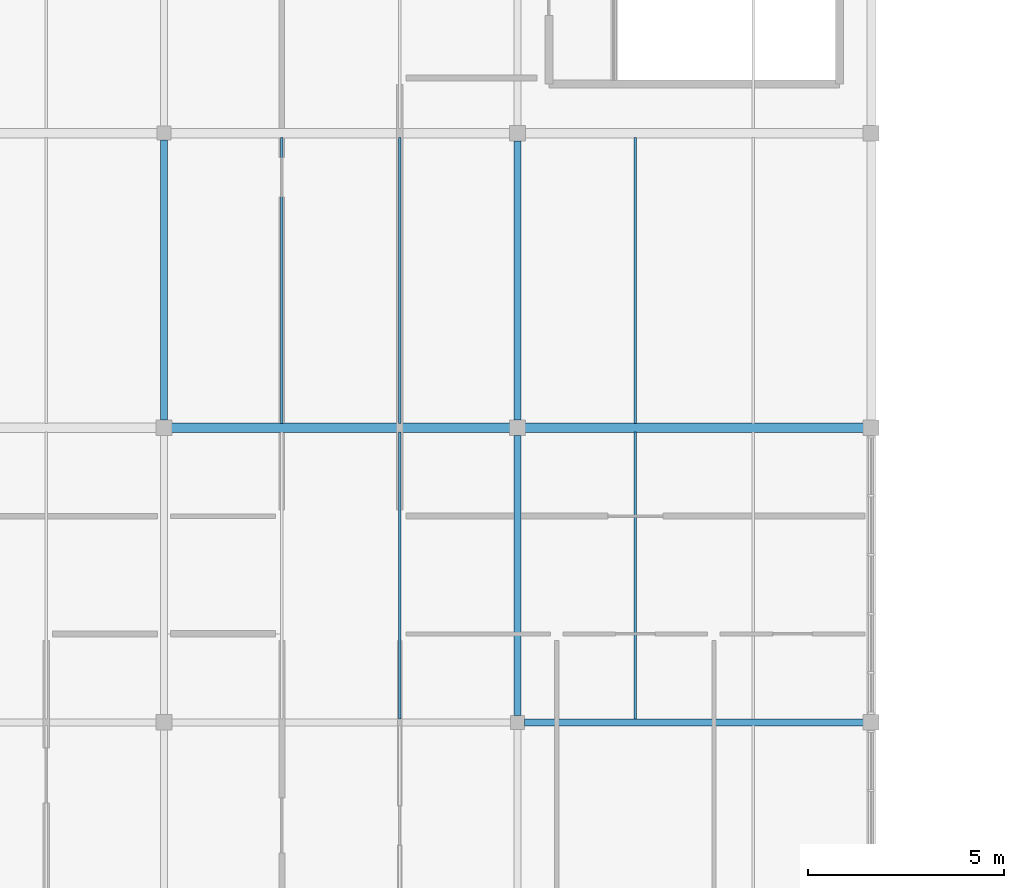
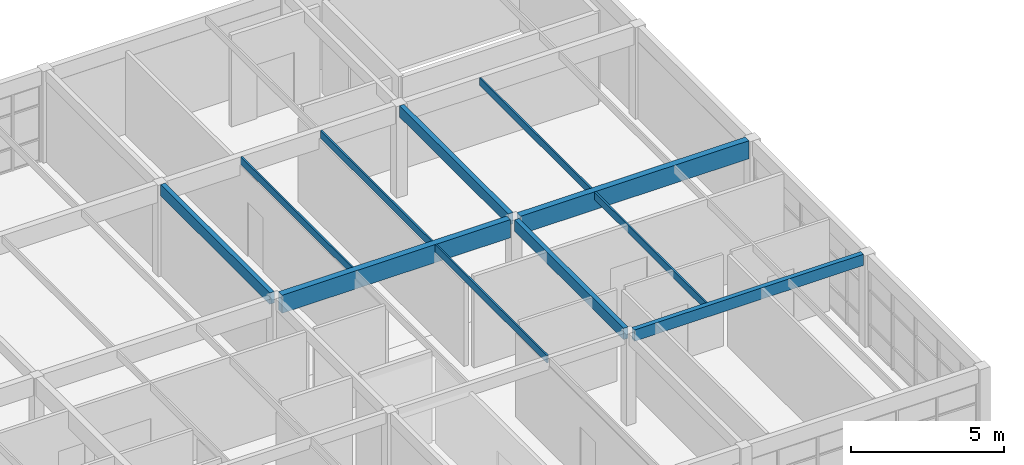
# One storey, part 16 of 45: 11 beams.
"""IFC4 building model written with IfcOpenShell, lengths in metres."""

from ifc_helpers import new_model, si_unit, direction, frame, origin, origin_2d, place, context, subcontext, project, spatial, rectangle, extrude, material, material_profile, profile_set, type_object, element, save


model = new_model("IFC4")

# Units and contexts
model_context = context("Model", 3, precision=1e-05, world=origin(), true_north=direction((0.0, 1.0)))
body_context = subcontext(model_context, "Body", "Model", "MODEL_VIEW")
ifc_project = project(units=[si_unit("LENGTHUNIT", "METRE"), si_unit("AREAUNIT", "SQUARE_METRE"), si_unit("VOLUMEUNIT", "CUBIC_METRE"), si_unit("PLANEANGLEUNIT", "RADIAN"), si_unit("MASSUNIT", "GRAM", prefix="KILO")], contexts=[model_context])

# Site, building, storey
site_placement = place(None, origin())
site = spatial("IfcSite", under=ifc_project, at=site_placement, CompositionType="ELEMENT")
building_placement = place(site_placement, origin())
building = spatial("IfcBuilding", under=site, at=building_placement, Name="Marnridge Secondary College", CompositionType="ELEMENT")
storey_placement = place(building_placement, frame((0.0, 0.0, 12.300048828125)))
storey = spatial("IfcBuildingStorey", under=building, at=storey_placement, Name="L03", CompositionType="ELEMENT", Elevation=12.300048828125)

# Beams
ifc_material_1 = material(Name="Glulam timber GL18", Category="wood")
ifc_material_profile_1 = material_profile(ifc_material_1, rectangle(XDim=0.175048828125, YDim=0.449951171875, at=origin_2d()), Name="GL18 175x450")
ifc_profile_set_1 = profile_set([ifc_material_profile_1], Name="Glulam timber GL18")
beam_type_1 = type_object("IfcBeamType", Name="BM-GL450-INT", PredefinedType="BEAM", material=ifc_profile_set_1)
for number, where, z_axis, x_axis, name in (
    (1, (18.0, 105.194091796875, 3.425048828125), (0.0, 1.0, 0.0), (-1.0, 0.0, 0.0), "Beam BRF-L03-1330"),
    (2, (27.0, 97.674072265625, 3.425048828125), (0.0, 1.0, 0.0), (-1.0, 0.0, 0.0), "Beam BRF-L03-1337"),
):
    element("IfcBeam", number, at=place(storey_placement, frame(where, z_axis=z_axis, x_axis=x_axis)), inside=storey, type_object=beam_type_1, Name=name, PredefinedType="BEAM", context=body_context, shape_type="SweptSolid", body=[
        extrude(rectangle(XDim=0.175048828125, YDim=0.449951171875, at=origin_2d()), origin(), (0.0, 0.0, 1.0), 7.1318359375),
    ])
beam_1_placement = place(storey_placement, frame((27.0, 105.194091796875, 3.425048828125), z_axis=(0.0, 1.0, 0.0), x_axis=(-1.0, 0.0, 0.0)))
element("IfcBeam", 3, at=beam_1_placement, inside=storey, type_object=beam_type_1, Name="Beam BRF-L03-1339", PredefinedType="BEAM", context=body_context, shape_type="SweptSolid", body=[
    extrude(rectangle(XDim=0.175048828125, YDim=0.449951171875, at=origin_2d()), origin(), (0.0, 0.0, 1.0), 7.11181640625),
])
beam_2_placement = place(storey_placement, frame((27.174072265625, 97.5, 3.425048828125), z_axis=(1.0, 0.0, 0.0), x_axis=(0.0, 1.0, 0.0)))
element("IfcBeam", 4, at=beam_2_placement, inside=storey, type_object=beam_type_1, Name="Beam BRF-L03-1343", PredefinedType="BEAM", context=body_context, shape_type="SweptSolid", body=[
    extrude(rectangle(XDim=0.175048828125, YDim=0.449951171875, at=origin_2d()), origin(), (0.0, 0.0, 1.0), 8.6318359375),
])
ifc_material_2 = material(Name="Glulam timber GL18", Category="wood")
ifc_material_profile_2 = material_profile(ifc_material_2, rectangle(XDim=0.239990234375, YDim=0.719970703125, at=origin_2d()), Name="GL18 240x720")
ifc_profile_set_2 = profile_set([ifc_material_profile_2], Name="Glulam timber GL18")
beam_type_2 = type_object("IfcBeamType", Name="BM-GL720-INT", PredefinedType="BEAM", material=ifc_profile_set_2)
for number, where, z_axis, x_axis, name in (
    (5, (18.194091796875, 105.0, 3.2900390625), (1.0, 0.0, 0.0), (0.0, 1.0, 0.0), "Beam BRF-L03-1336"),
    (6, (27.194091796875, 105.0, 3.2900390625), (1.0, 0.0, 0.0), (0.0, 1.0, 0.0), "Beam BRF-L03-1345"),
):
    element("IfcBeam", number, at=place(storey_placement, frame(where, z_axis=z_axis, x_axis=x_axis)), inside=storey, type_object=beam_type_2, Name=name, PredefinedType="BEAM", context=body_context, shape_type="SweptSolid", body=[
        extrude(rectangle(XDim=0.239990234375, YDim=0.719970703125, at=origin_2d()), origin(), (0.0, 0.0, 1.0), 8.61181640625),
    ])
ifc_material_3 = material(Name="Engineered timber LVL E13.2", Category="wood")
ifc_material_profile_3 = material_profile(ifc_material_3, rectangle(XDim=0.06298828125, YDim=0.300048828125, at=origin_2d()), Name="LVL 63x300")
ifc_profile_set_3 = profile_set([ifc_material_profile_3], Name="Engineered timber LVL E13.2")
beam_type_3 = type_object("IfcBeamType", Name="BM-LVL300-INT", PredefinedType="JOIST", material=ifc_profile_set_3)
beam_3_placement = place(storey_placement, frame((24.0, 97.58154296875, 3.5), z_axis=(0.0, 1.0, 0.0), x_axis=(-1.0, 0.0, 0.0)))
element("IfcBeam", 7, at=beam_3_placement, inside=storey, type_object=beam_type_3, Name="Beam BJ-L03-1370", PredefinedType="JOIST", context=body_context, shape_type="SweptSolid", body=[
    extrude(rectangle(XDim=0.06298828125, YDim=0.300048828125, at=origin_2d()), origin(), (0.0, 0.0, 1.0), 7.304443359375),
])
for number, where, z_axis, x_axis, name in (
    (8, (21.0, 105.114013671875, 3.5), (0.0, 1.0, 0.0), (-1.0, 0.0, 0.0), "Beam BJ-L03-1371"),
    (9, (24.0, 105.114013671875, 3.5), (0.0, 1.0, 0.0), (-1.0, 0.0, 0.0), "Beam BJ-L03-1372"),
):
    element("IfcBeam", number, at=place(storey_placement, frame(where, z_axis=z_axis, x_axis=x_axis)), inside=storey, type_object=beam_type_3, Name=name, PredefinedType="JOIST", context=body_context, shape_type="SweptSolid", body=[
        extrude(rectangle(XDim=0.06298828125, YDim=0.300048828125, at=origin_2d()), origin(), (0.0, 0.0, 1.0), 7.27197265625),
    ])
beam_4_placement = place(storey_placement, frame((30.0, 97.58154296875, 3.5), z_axis=(0.0, 1.0, 0.0), x_axis=(-1.0, 0.0, 0.0)))
element("IfcBeam", 10, at=beam_4_placement, inside=storey, type_object=beam_type_3, Name="Beam BJ-L03-1375", PredefinedType="JOIST", context=body_context, shape_type="SweptSolid", body=[
    extrude(rectangle(XDim=0.06298828125, YDim=0.300048828125, at=origin_2d()), origin(), (0.0, 0.0, 1.0), 7.304443359375),
])
beam_5_placement = place(storey_placement, frame((30.0, 105.114013671875, 3.5), z_axis=(0.0, 1.0, 0.0), x_axis=(-1.0, 0.0, 0.0)))
element("IfcBeam", 11, at=beam_5_placement, inside=storey, type_object=beam_type_3, Name="Beam BJ-L03-1377", PredefinedType="JOIST", context=body_context, shape_type="SweptSolid", body=[
    extrude(rectangle(XDim=0.06298828125, YDim=0.300048828125, at=origin_2d()), origin(), (0.0, 0.0, 1.0), 7.27197265625),
])

save(model, "model.ifc")
